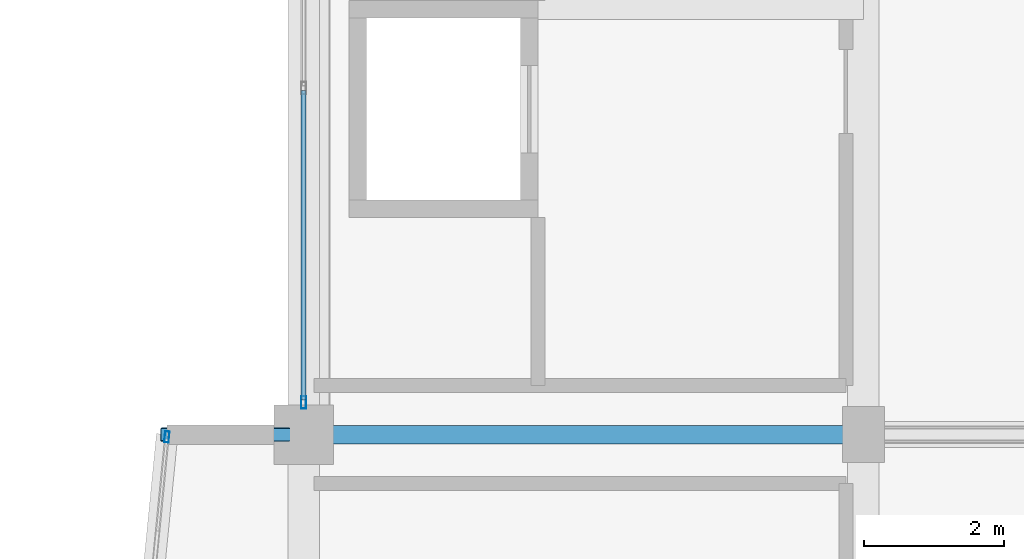
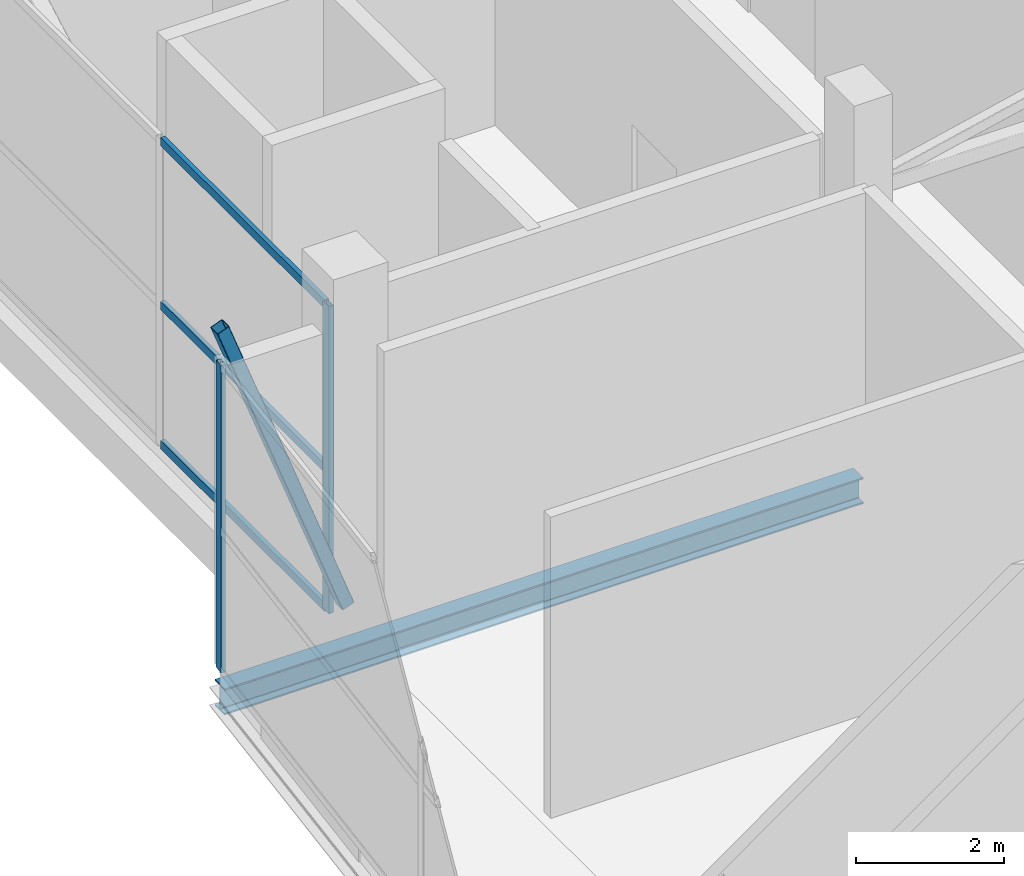
# One storey, part 14 of 58: 6 members, 1 beam, 2 elements without a shape of their own.
"""IFC4 building model written with IfcOpenShell, lengths in metres."""

from ifc_helpers import new_model, si_unit, direction, frame, origin, origin_2d, place, context, subcontext, project, spatial, hollow_rectangle, i_section, extrude, material, layer, layer_set, material_profile, profile_set, type_object, element, aggregate, save


model = new_model("IFC4")

# Units and contexts
model_context = context("Model", 3, precision=1e-05, world=origin(), true_north=direction((0.0, 1.0)))
body_context = subcontext(model_context, "Body", "Model", "MODEL_VIEW")
ifc_project = project(units=[si_unit("LENGTHUNIT", "METRE"), si_unit("AREAUNIT", "SQUARE_METRE"), si_unit("VOLUMEUNIT", "CUBIC_METRE"), si_unit("PLANEANGLEUNIT", "RADIAN"), si_unit("MASSUNIT", "GRAM", prefix="KILO")], contexts=[model_context])

# Site, building, storey
site_placement = place(None, origin())
site = spatial("IfcSite", under=ifc_project, at=site_placement, CompositionType="ELEMENT")
building_placement = place(site_placement, origin())
building = spatial("IfcBuilding", under=site, at=building_placement, Name="Sillaruma Civic Art Gallery", CompositionType="ELEMENT")
storey_placement = place(building_placement, frame((0.0, 0.0, 22.43994140625)))
storey = spatial("IfcBuildingStorey", under=building, at=storey_placement, Name="L04", CompositionType="ELEMENT", Elevation=22.43994140625)

# Beam
ifc_material_1 = material(Name="Structural Steel ASTM A992 Gr.50", Category="steel")
ifc_material_profile_1 = material_profile(ifc_material_1, i_section(OverallWidth=0.264892578125, OverallDepth=0.430908203125, WebThickness=0.014892578125, FlangeThickness=0.02490234375, FilletRadius=0.012939453125, at=origin_2d()), Name="W410x149")
ifc_profile_set_1 = profile_set([ifc_material_profile_1], Name="Structural Steel ASTM A992 Gr.50")
beam_type = type_object("IfcBeamType", Name="BM-PROW-W410x149", PredefinedType="BEAM", material=ifc_profile_set_1)
beam_placement = place(storey_placement, frame((70.0, 69.300048828125, -0.475341796875), z_axis=(-1.0, 0.0, 0.0), x_axis=(0.0, -1.0, 0.0)))
element("IfcBeam", 1, at=beam_placement, inside=storey, type_object=beam_type, Name="Back-Spanned Prow Beam (PRW-L04-W-FLR-N)", PredefinedType="BEAM", context=body_context, shape_type="SweptSolid", body=[
    extrude(i_section(OverallWidth=0.264892578125, OverallDepth=0.430908203125, WebThickness=0.014892578125, FlangeThickness=0.02490234375, FilletRadius=0.012939453125, at=origin_2d()), origin(), (0.0, 0.0, 1.0), 9.949951171875),
])

# Curtain wall, member
ifc_material_2 = material(Name="Thermally Broken Extruded Aluminium 6063-T6", Category="aluminium")
ifc_layer_1 = layer(ifc_material_2, 0.159912109375, Name="Thermally Broken Extruded Aluminium 6063-T6")
ifc_layer_set_1 = layer_set([ifc_layer_1], Name="Thermally Broken Extruded Aluminium 6063-T6")
curtain_wall_type_1 = type_object("IfcCurtainWallType", Name="CW-UNI-25", PredefinedType="NOTDEFINED", material=ifc_layer_set_1)
curtain_wall_1_placement = place(storey_placement, origin())
curtain_wall_1 = element("IfcCurtainWall", 2, at=curtain_wall_1_placement, inside=storey, type_object=curtain_wall_type_1, Name="Unitised Curtain Wall CW-25 (CW-PRW-L04-W-ANG)", PredefinedType="NOTDEFINED")
ifc_material_profile_2 = material_profile(ifc_material_2, hollow_rectangle(XDim=0.06494140625, YDim=0.159912109375, WallThickness=0.00390625, at=origin_2d()), Name="CWM65x160")
ifc_profile_set_2 = profile_set([ifc_material_profile_2], Name="Thermally Broken Extruded Aluminium 6063-T6")
member_type_1 = type_object("IfcMemberType", Name="MEM-MUL-CWM65x160", PredefinedType="MULLION", material=ifc_profile_set_2)
member_1_placement = place(storey_placement, frame((60.046875, 69.267578125, 0.0), z_axis=(0.0, 0.0, 1.0), x_axis=(0.99518536297, -0.098010679679, 0.0)))
member_1 = element("IfcMember", 3, at=member_1_placement, type_object=member_type_1, Name="CW-25 mullion 1", PredefinedType="MULLION", context=body_context, shape_type="SweptSolid", body=[
    extrude(hollow_rectangle(XDim=0.06494140625, YDim=0.159912109375, WallThickness=0.00390625, at=origin_2d()), origin(), (0.0, 0.0, 1.0), 5.06005859375),
])
aggregate(curtain_wall_1, [member_1])

ifc_layer_2 = layer(ifc_material_2, 0.179931640625, Name="Thermally Broken Extruded Aluminium 6063-T6")
ifc_layer_set_2 = layer_set([ifc_layer_2], Name="Thermally Broken Extruded Aluminium 6063-T6")
curtain_wall_type_2 = type_object("IfcCurtainWallType", Name="CW-UNI-22", PredefinedType="NOTDEFINED", material=ifc_layer_set_2)
curtain_wall_2_placement = place(storey_placement, origin())
curtain_wall_2 = element("IfcCurtainWall", 4, at=curtain_wall_2_placement, inside=storey, type_object=curtain_wall_type_2, Name="Unitised Curtain Wall CW-22 (CW-L04-W-6)", PredefinedType="NOTDEFINED")
ifc_material_profile_3 = material_profile(ifc_material_2, hollow_rectangle(XDim=0.070068359375, YDim=0.179931640625, WallThickness=0.00390625, at=origin_2d()), Name="CWM70x180")
ifc_profile_set_3 = profile_set([ifc_material_profile_3], Name="Thermally Broken Extruded Aluminium 6063-T6")
member_type_2 = type_object("IfcMemberType", Name="MEM-MUL-CWM70x180", PredefinedType="MULLION", material=ifc_profile_set_3)
member_2_placement = place(storey_placement, frame((62.0, 69.760009765625, 0.0), z_axis=(0.0, 0.0, 1.0), x_axis=(-1.0, 0.0, 0.0)))
member_2 = element("IfcMember", 5, at=member_2_placement, type_object=member_type_2, Name="CW-22 mullion 1", PredefinedType="MULLION", context=body_context, shape_type="SweptSolid", body=[
    extrude(hollow_rectangle(XDim=0.070068359375, YDim=0.179931640625, WallThickness=0.00390625, at=origin_2d()), origin(), (0.0, 0.0, 1.0), 5.06005859375),
])

# Member
ifc_material_3 = material(Name="Structural Steel ASTM A500 Gr.C", Category="steel")
ifc_material_profile_4 = material_profile(ifc_material_3, hollow_rectangle(XDim=0.199951171875, YDim=0.199951171875, WallThickness=0.010009765625, InnerFilletRadius=0.010009765625, OuterFilletRadius=0.02001953125, at=origin_2d()), Name="HSS200x200x10")
ifc_profile_set_4 = profile_set([ifc_material_profile_4], Name="Structural Steel ASTM A500 Gr.C")
member_type_3 = type_object("IfcMemberType", Name="MEM-PROW-BRACE", PredefinedType="BRACE", material=ifc_profile_set_4)
member_3_placement = place(storey_placement, frame((62.0, 69.300048828125, 0.400146484375), z_axis=(-0.349678850664, 0.0, 0.936869628816), x_axis=(0.0, -1.0, 0.0)))
element("IfcMember", 6, at=member_3_placement, inside=storey, type_object=member_type_3, Name="Deconstructivist Prow Diagonal Brace (PRW-L04-W-ROF-N)", PredefinedType="BRACE", context=body_context, shape_type="SweptSolid", body=[
    extrude(hollow_rectangle(XDim=0.199951171875, YDim=0.199951171875, WallThickness=0.010009765625, InnerFilletRadius=0.010009765625, OuterFilletRadius=0.02001953125, at=origin_2d()), origin(), (0.0, 0.0, 1.0), 5.576416015625),
])

ifc_material_profile_5 = material_profile(ifc_material_2, hollow_rectangle(XDim=0.070068359375, YDim=0.139892578125, WallThickness=0.00390625, at=origin_2d()), Name="CWT70x140")
ifc_profile_set_5 = profile_set([ifc_material_profile_5], Name="Thermally Broken Extruded Aluminium 6063-T6")
member_type_4 = type_object("IfcMemberType", Name="MEM-TRN-CWT70x140", PredefinedType="USERDEFINED", material=ifc_profile_set_5)
member_4_placement = place(storey_placement, frame((62.0, 69.794921875, 0.03515625), z_axis=(0.0, 1.0, 0.0), x_axis=(-1.0, 0.0, 0.0)))
member_4 = element("IfcMember", 7, at=member_4_placement, type_object=member_type_4, Name="CW-22 transom 1.1", ObjectType="TRANSOM", PredefinedType="USERDEFINED", context=body_context, shape_type="SweptSolid", body=[
    extrude(hollow_rectangle(XDim=0.070068359375, YDim=0.139892578125, WallThickness=0.00390625, at=origin_2d()), origin(), (0.0, 0.0, 1.0), 4.420166015625),
])

member_5_placement = place(storey_placement, frame((62.0, 69.794921875, 2.32763671875), z_axis=(0.0, 1.0, 0.0), x_axis=(-1.0, 0.0, 0.0)))
member_5 = element("IfcMember", 8, at=member_5_placement, type_object=member_type_4, Name="CW-22 transom 1.2", ObjectType="TRANSOM", PredefinedType="USERDEFINED", context=body_context, shape_type="SweptSolid", body=[
    extrude(hollow_rectangle(XDim=0.070068359375, YDim=0.139892578125, WallThickness=0.00390625, at=origin_2d()), origin(), (0.0, 0.0, 1.0), 4.420166015625),
])

member_6_placement = place(storey_placement, frame((62.0, 69.794921875, 5.025146484375), z_axis=(0.0, 1.0, 0.0), x_axis=(-1.0, 0.0, 0.0)))
member_6 = element("IfcMember", 9, at=member_6_placement, type_object=member_type_4, Name="CW-22 transom 1.3", ObjectType="TRANSOM", PredefinedType="USERDEFINED", context=body_context, shape_type="SweptSolid", body=[
    extrude(hollow_rectangle(XDim=0.070068359375, YDim=0.139892578125, WallThickness=0.00390625, at=origin_2d()), origin(), (0.0, 0.0, 1.0), 4.420166015625),
])

aggregate(curtain_wall_2, [member_2, member_4, member_5, member_6])

save(model, "model.ifc")
